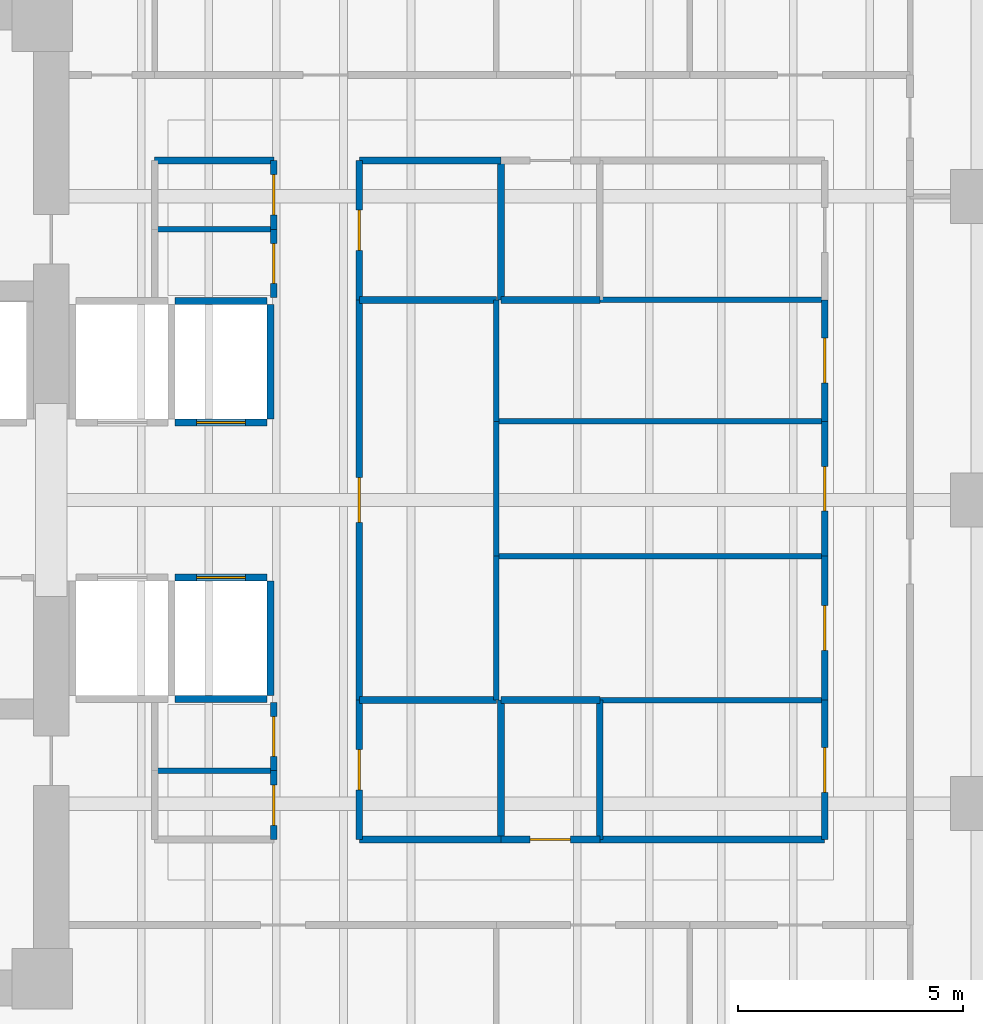
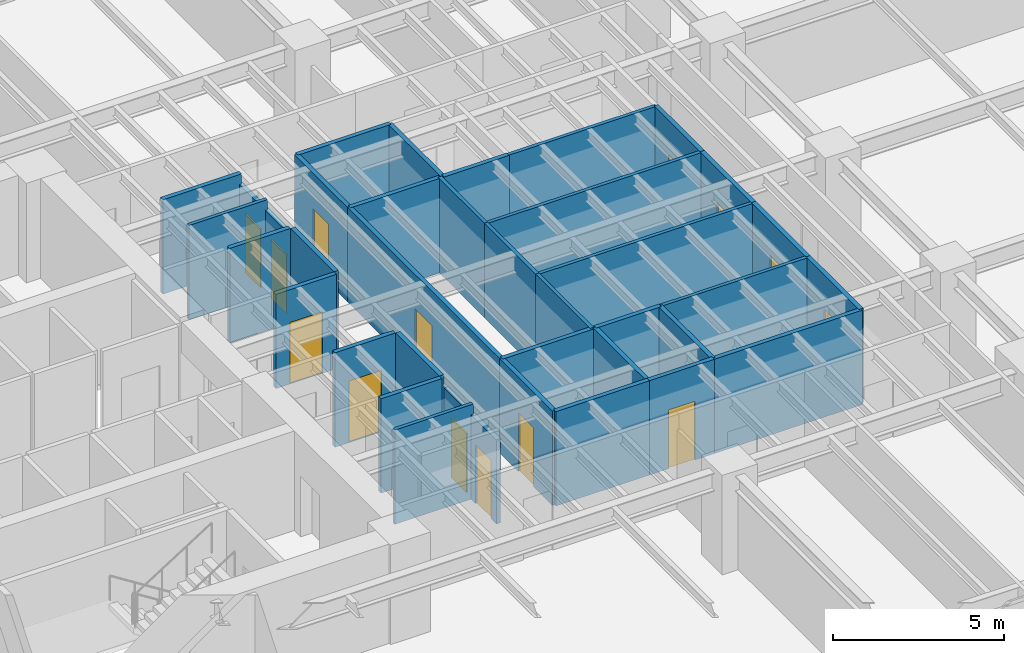
# One storey, part 9 of 15: 38 walls, 14 doors, 14 openings.
"""IFC4 building model written with IfcOpenShell, lengths in metres."""

import ifcopenshell
import ifcopenshell.guid

model = None  # the IFC model being written
_history = None  # IfcOwnerHistory: only IFC2X3 demands one
_inside = {}  # id of a spatial element -> (the spatial element, [elements in it])
_under = {}  # id of a project, library or spatial element -> (it, [spatial elements below it])
_declared = {}  # id of a project -> (the project, [libraries it declares])
_typed = {}  # id of a type object -> (the type object, [elements of that type])
_made_of = {}  # id of a material, layer set ... -> (it, [elements and type objects made of it])


def new_model(schema):
    """Start an empty IFC model of exactly this schema.

    Asked for "IFC4X3", IfcOpenShell would pick the latest addendum, in which some entities
    have other attributes; the version numbers below select the first issue.
    IFC2X3 requires an IfcOwnerHistory on every rooted entity: one is made here for all.
    """
    global model, _history
    if schema == "IFC4X3":
        model = ifcopenshell.file(schema_version=(4, 3, 0, 0))
    else:
        model = ifcopenshell.file(schema=schema)
    _inside.clear()
    _under.clear()
    _declared.clear()
    _typed.clear()
    _made_of.clear()
    _history = None
    if model.schema == "IFC2X3":
        org = make("IfcOrganization", Name="unknown")
        user = make(
            "IfcPersonAndOrganization",
            ThePerson=make("IfcPerson", FamilyName="unknown"),
            TheOrganization=org,
        )
        app = make(
            "IfcApplication",
            ApplicationDeveloper=org,
            Version="unknown",
            ApplicationFullName="unknown",
            ApplicationIdentifier="unknown",
        )
        _history = make(
            "IfcOwnerHistory",
            OwningUser=user,
            OwningApplication=app,
            ChangeAction="ADDED",
            CreationDate=0,
        )
    return model


def make(cls, **values):
    """One entity of the class cls with the attributes given. An attribute that is None is left unset."""
    return model.create_entity(
        cls, **{name: value for name, value in values.items() if value is not None}
    )


def rooted(cls, **values):
    """An entity with a GlobalId (a new one), such as an element, a storey or a relation."""
    return make(cls, GlobalId=ifcopenshell.guid.new(), OwnerHistory=_history, **values)


def si_unit(unit_type, name, prefix=None):
    """IfcSIUnit, for example si_unit("LENGTHUNIT", "METRE", prefix="MILLI")."""
    return make("IfcSIUnit", UnitType=unit_type, Prefix=prefix, Name=name)


def assignment(units):
    """IfcUnitAssignment: the units of a project."""
    return None if units is None else make("IfcUnitAssignment", Units=units)


def point(xyz):
    """IfcCartesianPoint."""
    return None if xyz is None else make("IfcCartesianPoint", Coordinates=xyz)


def direction(xyz):
    """IfcDirection."""
    return None if xyz is None else make("IfcDirection", DirectionRatios=xyz)


def frame(location, z_axis=None, x_axis=None):
    """IfcAxis2Placement3D, a coordinate frame: its origin and axes. An axis left out is left unset."""
    return make(
        "IfcAxis2Placement3D",
        Location=point(location),
        Axis=direction(z_axis),
        RefDirection=direction(x_axis),
    )


def frame_2d(location, x_axis=None):
    """IfcAxis2Placement2D, a coordinate frame in the plane: its origin and x axis."""
    return make(
        "IfcAxis2Placement2D", Location=point(location), RefDirection=direction(x_axis)
    )


def origin():
    """The frame at (0, 0, 0) with its axes left unset."""
    return frame((0.0, 0.0, 0.0))


def place(relative_to, where):
    """IfcLocalPlacement: puts the frame where relative to a parent placement (None: the world)."""
    return make(
        "IfcLocalPlacement", PlacementRelTo=relative_to, RelativePlacement=where
    )


def context(
    kind, dimensions, precision=None, world=None, true_north=None, identifier=None
):
    """IfcGeometricRepresentationContext, for example the 3D "Model" context."""
    return make(
        "IfcGeometricRepresentationContext",
        ContextIdentifier=identifier,
        ContextType=kind,
        CoordinateSpaceDimension=dimensions,
        Precision=precision,
        WorldCoordinateSystem=world,
        TrueNorth=true_north,
    )


def subcontext(parent, identifier, kind, view, scale=None):
    """IfcGeometricRepresentationSubContext, for example "Body" below "Model"."""
    return make(
        "IfcGeometricRepresentationSubContext",
        ContextIdentifier=identifier,
        ContextType=kind,
        ParentContext=parent,
        TargetScale=scale,
        TargetView=view,
    )


def project(units=None, contexts=None):
    """IfcProject with its units and contexts."""
    return rooted(
        "IfcProject",
        Name="project",
        RepresentationContexts=contexts,
        UnitsInContext=assignment(units),
    )


def spatial(cls, under=None, at=None, **own):
    """A site, building, storey or space (cls), placed at a placement, below another one or the project."""
    s = rooted(cls, ObjectPlacement=at, **own)
    if under is not None:
        _under.setdefault(under.id(), (under, []))[1].append(s)
    return s


def profile(cls, at=None, kind="AREA", **sizes):
    """A parametric profile (cls). Its sizes go by their IFC names, for example OverallWidth=200.0."""
    return make(cls, ProfileType=kind, Position=at, **sizes)


def rectangle(**sizes):
    """IfcRectangleProfileDef."""
    return profile("IfcRectangleProfileDef", **sizes)


def extrude(swept, where, along, depth):
    """IfcExtrudedAreaSolid: the profile swept, set in the frame where, extruded along a direction by depth."""
    return make(
        "IfcExtrudedAreaSolid",
        SweptArea=swept,
        Position=where,
        ExtrudedDirection=direction(along),
        Depth=depth,
    )


def shape(context_of_items, identifier, shape_type, items):
    """IfcShapeRepresentation: the items that make up one representation, for example the "Body"."""
    return make(
        "IfcShapeRepresentation",
        ContextOfItems=context_of_items,
        RepresentationIdentifier=identifier,
        RepresentationType=shape_type,
        Items=items,
    )


def material(Name=None, Category=None):
    """IfcMaterial."""
    return make("IfcMaterial", Name=Name, Category=Category)


def layer(
    of_material, thickness, ventilated=None, Name=None, Category=None, Priority=None
):
    """IfcMaterialLayer: one layer of a wall or slab, of a material (None: an air gap)."""
    return make(
        "IfcMaterialLayer",
        Material=of_material,
        LayerThickness=thickness,
        IsVentilated=ventilated,
        Name=Name,
        Category=Category,
        Priority=Priority,
    )


def layer_set(layers, Name=None):
    """IfcMaterialLayerSet."""
    return make("IfcMaterialLayerSet", MaterialLayers=layers, LayerSetName=Name)


def made_of(thing, what):
    """Note that an element or type object is made of a material, layer set ...; save() writes the relation."""
    if what is not None:
        _made_of.setdefault(what.id(), (what, []))[1].append(thing)
    return thing


def type_object(cls, material=None, **own):
    """A type object (cls), such as IfcWallType, which elements share."""
    return made_of(rooted(cls, **own), material)


def element(
    cls,
    number,
    at=None,
    inside=None,
    cuts=None,
    type_object=None,
    material=None,
    context=None,
    identifier="Body",
    shape_type=None,
    held_by="IfcProductDefinitionShape",
    body=None,
    shapes=None,
    **own,
):
    """One element of the class cls, such as IfcWall. Its Tag is "e" and its number.

    at: its placement. inside: the storey or other place that contains it. cuts: it is an
    opening in that element (IfcRelVoidsElement). A single representation is given by context,
    identifier, shape_type and body (its items); several are given by shapes. held_by: the class
    of the entity that holds the representations. save() writes the other relations.
    """
    e = rooted(cls, Tag="e%d" % number, ObjectPlacement=at, **own)
    if body is not None:
        shapes = [shape(context, identifier, shape_type, body)]
    if shapes is not None:
        e.Representation = make(held_by, Representations=shapes)
    if inside is not None:
        _inside.setdefault(inside.id(), (inside, []))[1].append(e)
    if cuts is not None:
        rooted(
            "IfcRelVoidsElement", RelatingBuildingElement=cuts, RelatedOpeningElement=e
        )
    if type_object is not None:
        _typed.setdefault(type_object.id(), (type_object, []))[1].append(e)
    return made_of(e, material)


def fill(opening, filler):
    """IfcRelFillsElement: the door or window that sits in an opening."""
    return rooted(
        "IfcRelFillsElement",
        RelatingOpeningElement=opening,
        RelatedBuildingElement=filler,
    )


def aggregate(whole, parts):
    """IfcRelAggregates: a whole, such as a stair, and the parts it consists of."""
    return rooted("IfcRelAggregates", RelatingObject=whole, RelatedObjects=parts)


def save(model, path):
    """Write the relations noted so far, then the file.

    IfcRelAggregates (storeys below a building ...), IfcRelContainedInSpatialStructure (elements
    in a storey), IfcRelDefinesByType, IfcRelAssociatesMaterial and IfcRelDeclares: one each for
    every whole, place, type object, material and project.
    """
    for whole, parts in _under.values():
        aggregate(whole, parts)
    for where, things in _inside.values():
        rooted(
            "IfcRelContainedInSpatialStructure",
            RelatedElements=things,
            RelatingStructure=where,
        )
    for kind, things in _typed.values():
        rooted("IfcRelDefinesByType", RelatedObjects=things, RelatingType=kind)
    for what, things in _made_of.values():
        rooted("IfcRelAssociatesMaterial", RelatedObjects=things, RelatingMaterial=what)
    for by, libraries in _declared.values():
        rooted("IfcRelDeclares", RelatingContext=by, RelatedDefinitions=libraries)
    model.write(path)


model = new_model("IFC4")

# Units and contexts
model_context = context("Model", 3, precision=1e-05, world=origin(), true_north=direction((0.0, 1.0)))
body_context = subcontext(model_context, "Body", "Model", "MODEL_VIEW")
ifc_project = project(units=[si_unit("LENGTHUNIT", "METRE"), si_unit("AREAUNIT", "SQUARE_METRE"), si_unit("VOLUMEUNIT", "CUBIC_METRE"), si_unit("PLANEANGLEUNIT", "RADIAN"), si_unit("MASSUNIT", "GRAM", prefix="KILO")], contexts=[model_context])

# Site, building, storey
site_placement = place(None, origin())
site = spatial("IfcSite", under=ifc_project, at=site_placement, CompositionType="ELEMENT")
building_placement = place(site_placement, origin())
building = spatial("IfcBuilding", under=site, at=building_placement, Name="Kinhvarn Gate Tower", CompositionType="ELEMENT")
storey_placement = place(building_placement, frame((0.0, 0.0, 71.75)))
storey = spatial("IfcBuildingStorey", under=building, at=storey_placement, Name="L18", CompositionType="ELEMENT", Elevation=71.75)

# Walls
ifc_material_1 = material(Name="Gypsum acoustic partition board")
ifc_layer_1 = layer(ifc_material_1, 0.14990234375)
ifc_layer_set_1 = layer_set([ifc_layer_1], Name="Gypsum acoustic partition board")
wall_type_1 = type_object("IfcWallType", Name="WL-PLM-150", PredefinedType="PLUMBINGWALL", material=ifc_layer_set_1)
wall_1_placement = place(storey_placement, frame((27.60009765625, 17.699951171875, 0.0), z_axis=(0.0, 0.0, 1.0), x_axis=(0.0, 1.0, 0.0)))
element("IfcWall", 1, at=wall_1_placement, inside=storey, type_object=wall_type_1, Name="Interior Partition PLW-150 (L18)", PredefinedType="PLUMBINGWALL", context=body_context, shape_type="SweptSolid", body=[
    extrude(rectangle(XDim=3.10009765625, YDim=0.14990234375, at=frame_2d((1.550048828125, 0.0))), origin(), (0.0, 0.0, 1.0), 3.3701171875),
])
wall_2_placement = place(storey_placement, frame((24.449951171875, 20.800048828125, 0.0), z_axis=(0.0, 0.0, 1.0), x_axis=(1.0, 0.0, 0.0)))
element("IfcWall", 2, at=wall_2_placement, inside=storey, type_object=wall_type_1, Name="Interior Partition PLW-150 (L18)", PredefinedType="PLUMBINGWALL", context=body_context, shape_type="SweptSolid", body=[
    extrude(rectangle(XDim=3.050048828125, YDim=0.14990234375, at=frame_2d((1.52490234375, 0.0))), origin(), (0.0, 0.0, 1.0), 3.3701171875),
])
wall_3_placement = place(storey_placement, frame((27.60009765625, 29.699951171875, 0.0), z_axis=(0.0, 0.0, 1.0), x_axis=(0.0, 1.0, 0.0)))
element("IfcWall", 3, at=wall_3_placement, inside=storey, type_object=wall_type_1, Name="Interior Partition PLW-150 (L18)", PredefinedType="PLUMBINGWALL", context=body_context, shape_type="SweptSolid", body=[
    extrude(rectangle(XDim=3.10009765625, YDim=0.14990234375, at=frame_2d((1.550048828125, 0.0))), origin(), (0.0, 0.0, 1.0), 3.3701171875),
])
wall_4_placement = place(storey_placement, frame((24.449951171875, 29.699951171875, 0.0), z_axis=(0.0, 0.0, 1.0), x_axis=(1.0, 0.0, 0.0)))
element("IfcWall", 4, at=wall_4_placement, inside=storey, type_object=wall_type_1, Name="Interior Partition PLW-150 (L18)", PredefinedType="PLUMBINGWALL", context=body_context, shape_type="SweptSolid", body=[
    extrude(rectangle(XDim=3.050048828125, YDim=0.14990234375, at=frame_2d((1.52490234375, 0.0))), origin(), (0.0, 0.0, 1.0), 3.3701171875),
])
wall_5_placement = place(storey_placement, frame((29.800048828125, 17.699951171875, 0.0), z_axis=(0.0, 0.0, 1.0), x_axis=(0.0, 1.0, 0.0)))
element("IfcWall", 5, at=wall_5_placement, inside=storey, type_object=wall_type_1, Name="Interior Partition PLW-150 (L18)", PredefinedType="PLUMBINGWALL", context=body_context, shape_type="SweptSolid", body=[
    extrude(rectangle(XDim=3.10009765625, YDim=0.14990234375, at=frame_2d((1.550048828125, 0.0))), origin(), (0.0, 0.0, 1.0), 3.3701171875),
])
for number, where, z_axis, x_axis, name in (
    (6, (27.60009765625, 20.800048828125, 0.0), (0.0, 0.0, 1.0), (1.0, 0.0, 0.0), "Interior Partition PLW-150 (L18)"),
    (7, (27.60009765625, 29.699951171875, 0.0), (0.0, 0.0, 1.0), (1.0, 0.0, 0.0), "Interior Partition PLW-150 (L18)"),
):
    element("IfcWall", number, at=place(storey_placement, frame(where, z_axis=z_axis, x_axis=x_axis)), inside=storey, type_object=wall_type_1, Name=name, PredefinedType="PLUMBINGWALL", context=body_context, shape_type="SweptSolid", body=[
        extrude(rectangle(XDim=2.199951171875, YDim=0.14990234375, at=frame_2d((1.10009765625, 0.0))), origin(), (0.0, 0.0, 1.0), 3.3701171875),
    ])

# Wall, opening, door
ifc_layer_2 = layer(ifc_material_1, 0.14990234375)
ifc_layer_set_2 = layer_set([ifc_layer_2], Name="Gypsum acoustic partition board")
wall_type_2 = type_object("IfcWallType", Name="WL-PLM-150F", PredefinedType="PLUMBINGWALL", material=ifc_layer_set_2)
wall_6_placement = place(storey_placement, frame((24.449951171875, 17.699951171875, 0.0), z_axis=(0.0, 0.0, 1.0), x_axis=(0.0, 1.0, 0.0)))
wall_6 = element("IfcWall", 8, at=wall_6_placement, inside=storey, type_object=wall_type_2, Name="Interior Partition PLW-150F (L18)", PredefinedType="PLUMBINGWALL", context=body_context, shape_type="SweptSolid", body=[
    extrude(rectangle(XDim=3.10009765625, YDim=0.14990234375, at=frame_2d((1.550048828125, 0.0))), origin(), (0.0, 0.0, 1.0), 3.3701171875),
])
opening_1_placement = place(wall_6_placement, frame((1.10009765625, 0.0, 0.0)))
opening_1 = element("IfcOpeningElement", 9, at=opening_1_placement, cuts=wall_6, Name="Opening FD-04", PredefinedType="OPENING", context=body_context, shape_type="SweptSolid", body=[
    extrude(rectangle(XDim=0.89990234375, YDim=2.10009765625, at=frame_2d((0.449951171875, 1.050048828125))), frame((0.0, 0.0849609375, 0.0), z_axis=(0.0, -1.0, 0.0), x_axis=(1.0, 0.0, 0.0)), (0.0, 0.0, 1.0), 0.169921875),
])
ifc_material_2 = material(Name="Anodised aluminium AW-6063", Category="aluminium")
door_type_1 = type_object("IfcDoorType", Name="DR-FD-900", OperationType="NOTDEFINED", PredefinedType="DOOR", material=ifc_material_2)
door_1_placement = place(opening_1_placement, origin())
door_1 = element("IfcDoor", 10, at=door_1_placement, inside=storey, type_object=door_type_1, Name="Rated Riser & Service Closet Fire Door 900x2100 mm (L18)", OperationType="SINGLE_SWING_LEFT", OverallHeight=2.10009765625, OverallWidth=0.89990234375, PredefinedType="DOOR", context=body_context, shape_type="SweptSolid", body=[
    extrude(rectangle(XDim=0.89990234375, YDim=2.10009765625, at=frame_2d((0.449951171875, 1.050048828125))), frame((0.0, 0.02490234375, 0.0), z_axis=(0.0, -1.0, 0.0), x_axis=(1.0, 0.0, 0.0)), (0.0, 0.0, 1.0), 0.050048828125),
])
fill(opening_1, door_1)

wall_7_placement = place(storey_placement, frame((24.449951171875, 29.699951171875, 0.0), z_axis=(0.0, 0.0, 1.0), x_axis=(0.0, 1.0, 0.0)))
wall_7 = element("IfcWall", 11, at=wall_7_placement, inside=storey, type_object=wall_type_2, Name="Interior Partition PLW-150F (L18)", PredefinedType="PLUMBINGWALL", context=body_context, shape_type="SweptSolid", body=[
    extrude(rectangle(XDim=3.10009765625, YDim=0.14990234375, at=frame_2d((1.550048828125, 0.0))), origin(), (0.0, 0.0, 1.0), 3.3701171875),
])
opening_2_placement = place(wall_7_placement, frame((1.10009765625, 0.0, 0.0)))
opening_2 = element("IfcOpeningElement", 12, at=opening_2_placement, cuts=wall_7, Name="Opening FD-04", PredefinedType="OPENING", context=body_context, shape_type="SweptSolid", body=[
    extrude(rectangle(XDim=0.89990234375, YDim=2.10009765625, at=frame_2d((0.449951171875, 1.050048828125))), frame((0.0, 0.0849609375, 0.0), z_axis=(0.0, -1.0, 0.0), x_axis=(1.0, 0.0, 0.0)), (0.0, 0.0, 1.0), 0.169921875),
])
door_2_placement = place(opening_2_placement, origin())
door_2 = element("IfcDoor", 13, at=door_2_placement, inside=storey, type_object=door_type_1, Name="Rated Riser & Service Closet Fire Door 900x2100 mm (L18)", OperationType="SINGLE_SWING_RIGHT", OverallHeight=2.10009765625, OverallWidth=0.89990234375, PredefinedType="DOOR", context=body_context, shape_type="SweptSolid", body=[
    extrude(rectangle(XDim=0.89990234375, YDim=2.10009765625, at=frame_2d((0.449951171875, 1.050048828125))), frame((0.0, 0.02490234375, 0.0), z_axis=(0.0, -1.0, 0.0), x_axis=(1.0, 0.0, 0.0)), (0.0, 0.0, 1.0), 0.050048828125),
])
fill(opening_2, door_2)

# Wall
wall_8_placement = place(storey_placement, frame((24.449951171875, 17.699951171875, 0.0), z_axis=(0.0, 0.0, 1.0), x_axis=(1.0, 0.0, 0.0)))
element("IfcWall", 14, at=wall_8_placement, inside=storey, type_object=wall_type_2, Name="Interior Partition PLW-150F (L18)", PredefinedType="PLUMBINGWALL", context=body_context, shape_type="SweptSolid", body=[
    extrude(rectangle(XDim=3.150146484375, YDim=0.14990234375, at=frame_2d((1.5751953125, 0.0))), origin(), (0.0, 0.0, 1.0), 3.3701171875),
])

# Wall, opening, door
wall_9_placement = place(storey_placement, frame((27.60009765625, 17.699951171875, 0.0), z_axis=(0.0, 0.0, 1.0), x_axis=(1.0, 0.0, 0.0)))
wall_9 = element("IfcWall", 15, at=wall_9_placement, inside=storey, type_object=wall_type_2, Name="Interior Partition PLW-150F (L18)", PredefinedType="PLUMBINGWALL", context=body_context, shape_type="SweptSolid", body=[
    extrude(rectangle(XDim=2.199951171875, YDim=0.14990234375, at=frame_2d((1.10009765625, 0.0))), origin(), (0.0, 0.0, 1.0), 3.3701171875),
])
opening_3_placement = place(wall_9_placement, frame((0.64990234375, 0.0, 0.0)))
opening_3 = element("IfcOpeningElement", 16, at=opening_3_placement, cuts=wall_9, Name="Opening FD-04", PredefinedType="OPENING", context=body_context, shape_type="SweptSolid", body=[
    extrude(rectangle(XDim=0.89990234375, YDim=2.10009765625, at=frame_2d((0.449951171875, 1.050048828125))), frame((0.0, 0.0849609375, 0.0), z_axis=(0.0, -1.0, 0.0), x_axis=(1.0, 0.0, 0.0)), (0.0, 0.0, 1.0), 0.169921875),
])
door_3_placement = place(opening_3_placement, origin())
door_3 = element("IfcDoor", 17, at=door_3_placement, inside=storey, type_object=door_type_1, Name="Rated Riser & Service Closet Fire Door 900x2100 mm (L18)", OperationType="SINGLE_SWING_RIGHT", OverallHeight=2.10009765625, OverallWidth=0.89990234375, PredefinedType="DOOR", context=body_context, shape_type="SweptSolid", body=[
    extrude(rectangle(XDim=0.89990234375, YDim=2.10009765625, at=frame_2d((0.449951171875, 1.050048828125))), frame((0.0, 0.02490234375, 0.0), z_axis=(0.0, -1.0, 0.0), x_axis=(1.0, 0.0, 0.0)), (0.0, 0.0, 1.0), 0.050048828125),
])
fill(opening_3, door_3)

# Walls
wall_10_placement = place(storey_placement, frame((24.449951171875, 32.800048828125, 0.0), z_axis=(0.0, 0.0, 1.0), x_axis=(1.0, 0.0, 0.0)))
element("IfcWall", 18, at=wall_10_placement, inside=storey, type_object=wall_type_2, Name="Interior Partition PLW-150F (L18)", PredefinedType="PLUMBINGWALL", context=body_context, shape_type="SweptSolid", body=[
    extrude(rectangle(XDim=3.150146484375, YDim=0.14990234375, at=frame_2d((1.5751953125, 0.0))), origin(), (0.0, 0.0, 1.0), 3.3701171875),
])
ifc_layer_3 = layer(ifc_material_1, 0.1201171875)
ifc_layer_set_3 = layer_set([ifc_layer_3], Name="Gypsum acoustic partition board")
wall_type_3 = type_object("IfcWallType", Name="WL-PRT-120", PredefinedType="PARTITIONING", material=ifc_layer_set_3)
for number, where, z_axis, x_axis, name in (
    (19, (19.89990234375, 19.22998046875, 0.0), (0.0, 0.0, 1.0), (1.0, 0.0, 0.0), "Interior Partition PW-120 (L18)"),
    (20, (19.89990234375, 31.27001953125, 0.0), (0.0, 0.0, 1.0), (1.0, 0.0, 0.0), "Interior Partition PW-120 (L18)"),
):
    element("IfcWall", number, at=place(storey_placement, frame(where, z_axis=z_axis, x_axis=x_axis)), inside=storey, type_object=wall_type_3, Name=name, PredefinedType="PARTITIONING", context=body_context, shape_type="SweptSolid", body=[
        extrude(rectangle(XDim=2.650146484375, YDim=0.1201171875, at=frame_2d((1.3251953125, 0.0))), origin(), (0.0, 0.0, 1.0), 3.3701171875),
    ])
for number, where, z_axis, x_axis, name in (
    (21, (29.800048828125, 20.800048828125, 0.0), (0.0, 0.0, 1.0), (1.0, 0.0, 0.0), "Interior Partition PW-120 (L18)"),
    (22, (29.800048828125, 29.699951171875, 0.0), (0.0, 0.0, 1.0), (1.0, 0.0, 0.0), "Interior Partition PW-120 (L18)"),
):
    element("IfcWall", number, at=place(storey_placement, frame(where, z_axis=z_axis, x_axis=x_axis)), inside=storey, type_object=wall_type_3, Name=name, PredefinedType="PARTITIONING", context=body_context, shape_type="SweptSolid", body=[
        extrude(rectangle(XDim=5.0, YDim=0.1201171875, at=frame_2d((2.5, 0.0))), origin(), (0.0, 0.0, 1.0), 3.3701171875),
    ])
wall_11_placement = place(storey_placement, frame((27.5, 20.800048828125, 0.0), z_axis=(0.0, 0.0, 1.0), x_axis=(0.0, 1.0, 0.0)))
element("IfcWall", 23, at=wall_11_placement, inside=storey, type_object=wall_type_3, Name="Interior Partition PW-120 (L18)", PredefinedType="PARTITIONING", context=body_context, shape_type="SweptSolid", body=[
    extrude(rectangle(XDim=3.199951171875, YDim=0.1201171875, at=frame_2d((1.60009765625, 0.0))), origin(), (0.0, 0.0, 1.0), 3.3701171875),
])
wall_12_placement = place(storey_placement, frame((27.5, 24.0, 0.0), z_axis=(0.0, 0.0, 1.0), x_axis=(0.0, 1.0, 0.0)))
element("IfcWall", 24, at=wall_12_placement, inside=storey, type_object=wall_type_3, Name="Interior Partition PW-120 (L18)", PredefinedType="PARTITIONING", context=body_context, shape_type="SweptSolid", body=[
    extrude(rectangle(XDim=3.0, YDim=0.1201171875, at=frame_2d((1.5, 0.0))), origin(), (0.0, 0.0, 1.0), 3.3701171875),
])
wall_13_placement = place(storey_placement, frame((27.5, 27.0, 0.0), z_axis=(0.0, 0.0, 1.0), x_axis=(0.0, 1.0, 0.0)))
element("IfcWall", 25, at=wall_13_placement, inside=storey, type_object=wall_type_3, Name="Interior Partition PW-120 (L18)", PredefinedType="PARTITIONING", context=body_context, shape_type="SweptSolid", body=[
    extrude(rectangle(XDim=2.699951171875, YDim=0.1201171875, at=frame_2d((1.35009765625, 0.0))), origin(), (0.0, 0.0, 1.0), 3.3701171875),
])
for number, where, z_axis, x_axis, name in (
    (26, (27.5, 24.0, 0.0), (0.0, 0.0, 1.0), (1.0, 0.0, 0.0), "Interior Partition PW-120 (L18)"),
    (27, (27.5, 27.0, 0.0), (0.0, 0.0, 1.0), (1.0, 0.0, 0.0), "Interior Partition PW-120 (L18)"),
):
    element("IfcWall", number, at=place(storey_placement, frame(where, z_axis=z_axis, x_axis=x_axis)), inside=storey, type_object=wall_type_3, Name=name, PredefinedType="PARTITIONING", context=body_context, shape_type="SweptSolid", body=[
        extrude(rectangle(XDim=7.300048828125, YDim=0.1201171875, at=frame_2d((3.64990234375, 0.0))), origin(), (0.0, 0.0, 1.0), 3.3701171875),
    ])

# Wall, opening, door
ifc_layer_4 = layer(ifc_material_1, 0.14990234375)
ifc_layer_set_4 = layer_set([ifc_layer_4], Name="Gypsum acoustic partition board")
wall_type_4 = type_object("IfcWallType", Name="WL-PRT-150F", PredefinedType="PARTITIONING", material=ifc_layer_set_4)
wall_14_placement = place(storey_placement, frame((22.550048828125, 17.699951171875, 0.0), z_axis=(0.0, 0.0, 1.0), x_axis=(0.0, 1.0, 0.0)))
wall_14 = element("IfcWall", 28, at=wall_14_placement, inside=storey, type_object=wall_type_4, Name="Interior Partition PW-150F (L18)", PredefinedType="PARTITIONING", context=body_context, shape_type="SweptSolid", body=[
    extrude(rectangle(XDim=1.530029296875, YDim=0.14990234375, at=frame_2d((0.76513671875, 0.0))), origin(), (0.0, 0.0, 1.0), 3.010009765625),
])
opening_4_placement = place(wall_14_placement, frame((0.31494140625, 0.0, 0.0)))
opening_4 = element("IfcOpeningElement", 29, at=opening_4_placement, cuts=wall_14, Name="Opening ID-03", PredefinedType="OPENING", context=body_context, shape_type="SweptSolid", body=[
    extrude(rectangle(XDim=0.89990234375, YDim=2.10009765625, at=frame_2d((0.449951171875, 1.050048828125))), frame((0.0, 0.0849609375, 0.0), z_axis=(0.0, -1.0, 0.0), x_axis=(1.0, 0.0, 0.0)), (0.0, 0.0, 1.0), 0.169921875),
])
door_type_2 = type_object("IfcDoorType", Name="DR-INT-900", OperationType="NOTDEFINED", PredefinedType="DOOR", material=ifc_material_2)
door_4_placement = place(opening_4_placement, origin())
door_4 = element("IfcDoor", 30, at=door_4_placement, inside=storey, type_object=door_type_2, Name="Cellular Office & Restroom Door 900x2100 mm (L18)", OperationType="SINGLE_SWING_LEFT", OverallHeight=2.10009765625, OverallWidth=0.89990234375, PredefinedType="DOOR", context=body_context, shape_type="SweptSolid", body=[
    extrude(rectangle(XDim=0.89990234375, YDim=2.10009765625, at=frame_2d((0.449951171875, 1.050048828125))), frame((0.0, 0.02490234375, 0.0), z_axis=(0.0, -1.0, 0.0), x_axis=(1.0, 0.0, 0.0)), (0.0, 0.0, 1.0), 0.050048828125),
])
fill(opening_4, door_4)

wall_15_placement = place(storey_placement, frame((22.550048828125, 19.22998046875, 0.0), z_axis=(0.0, 0.0, 1.0), x_axis=(0.0, 1.0, 0.0)))
wall_15 = element("IfcWall", 31, at=wall_15_placement, inside=storey, type_object=wall_type_4, Name="Interior Partition PW-150F (L18)", PredefinedType="PARTITIONING", context=body_context, shape_type="SweptSolid", body=[
    extrude(rectangle(XDim=1.52001953125, YDim=0.14990234375, at=frame_2d((0.760009765625, 0.0))), origin(), (0.0, 0.0, 1.0), 3.010009765625),
])
opening_5_placement = place(wall_15_placement, frame((0.31005859375, 0.0, 0.0)))
opening_5 = element("IfcOpeningElement", 32, at=opening_5_placement, cuts=wall_15, Name="Opening ID-03", PredefinedType="OPENING", context=body_context, shape_type="SweptSolid", body=[
    extrude(rectangle(XDim=0.89990234375, YDim=2.10009765625, at=frame_2d((0.449951171875, 1.050048828125))), frame((0.0, 0.0849609375, 0.0), z_axis=(0.0, -1.0, 0.0), x_axis=(1.0, 0.0, 0.0)), (0.0, 0.0, 1.0), 0.169921875),
])
door_5_placement = place(opening_5_placement, origin())
door_5 = element("IfcDoor", 33, at=door_5_placement, inside=storey, type_object=door_type_2, Name="Cellular Office & Restroom Door 900x2100 mm (L18)", OperationType="SINGLE_SWING_RIGHT", OverallHeight=2.10009765625, OverallWidth=0.89990234375, PredefinedType="DOOR", context=body_context, shape_type="SweptSolid", body=[
    extrude(rectangle(XDim=0.89990234375, YDim=2.10009765625, at=frame_2d((0.449951171875, 1.050048828125))), frame((0.0, 0.02490234375, 0.0), z_axis=(0.0, -1.0, 0.0), x_axis=(1.0, 0.0, 0.0)), (0.0, 0.0, 1.0), 0.050048828125),
])
fill(opening_5, door_5)

wall_16_placement = place(storey_placement, frame((22.550048828125, 29.75, 0.0), z_axis=(0.0, 0.0, 1.0), x_axis=(0.0, 1.0, 0.0)))
wall_16 = element("IfcWall", 34, at=wall_16_placement, inside=storey, type_object=wall_type_4, Name="Interior Partition PW-150F (L18)", PredefinedType="PARTITIONING", context=body_context, shape_type="SweptSolid", body=[
    extrude(rectangle(XDim=1.52001953125, YDim=0.14990234375, at=frame_2d((0.760009765625, 0.0))), origin(), (0.0, 0.0, 1.0), 3.010009765625),
])
opening_6_placement = place(wall_16_placement, frame((0.31005859375, 0.0, 0.0)))
opening_6 = element("IfcOpeningElement", 35, at=opening_6_placement, cuts=wall_16, Name="Opening ID-03", PredefinedType="OPENING", context=body_context, shape_type="SweptSolid", body=[
    extrude(rectangle(XDim=0.89990234375, YDim=2.10009765625, at=frame_2d((0.449951171875, 1.050048828125))), frame((0.0, 0.0849609375, 0.0), z_axis=(0.0, -1.0, 0.0), x_axis=(1.0, 0.0, 0.0)), (0.0, 0.0, 1.0), 0.169921875),
])
door_6_placement = place(opening_6_placement, origin())
door_6 = element("IfcDoor", 36, at=door_6_placement, inside=storey, type_object=door_type_2, Name="Cellular Office & Restroom Door 900x2100 mm (L18)", OperationType="SINGLE_SWING_LEFT", OverallHeight=2.10009765625, OverallWidth=0.89990234375, PredefinedType="DOOR", context=body_context, shape_type="SweptSolid", body=[
    extrude(rectangle(XDim=0.89990234375, YDim=2.10009765625, at=frame_2d((0.449951171875, 1.050048828125))), frame((0.0, 0.02490234375, 0.0), z_axis=(0.0, -1.0, 0.0), x_axis=(1.0, 0.0, 0.0)), (0.0, 0.0, 1.0), 0.050048828125),
])
fill(opening_6, door_6)

wall_17_placement = place(storey_placement, frame((22.550048828125, 31.27001953125, 0.0), z_axis=(0.0, 0.0, 1.0), x_axis=(0.0, 1.0, 0.0)))
wall_17 = element("IfcWall", 37, at=wall_17_placement, inside=storey, type_object=wall_type_4, Name="Interior Partition PW-150F (L18)", PredefinedType="PARTITIONING", context=body_context, shape_type="SweptSolid", body=[
    extrude(rectangle(XDim=1.530029296875, YDim=0.14990234375, at=frame_2d((0.76513671875, 0.0))), origin(), (0.0, 0.0, 1.0), 3.010009765625),
])
opening_7_placement = place(wall_17_placement, frame((0.31494140625, 0.0, 0.0)))
opening_7 = element("IfcOpeningElement", 38, at=opening_7_placement, cuts=wall_17, Name="Opening ID-03", PredefinedType="OPENING", context=body_context, shape_type="SweptSolid", body=[
    extrude(rectangle(XDim=0.89990234375, YDim=2.10009765625, at=frame_2d((0.449951171875, 1.050048828125))), frame((0.0, 0.0849609375, 0.0), z_axis=(0.0, -1.0, 0.0), x_axis=(1.0, 0.0, 0.0)), (0.0, 0.0, 1.0), 0.169921875),
])
door_7_placement = place(opening_7_placement, origin())
door_7 = element("IfcDoor", 39, at=door_7_placement, inside=storey, type_object=door_type_2, Name="Cellular Office & Restroom Door 900x2100 mm (L18)", OperationType="SINGLE_SWING_RIGHT", OverallHeight=2.10009765625, OverallWidth=0.89990234375, PredefinedType="DOOR", context=body_context, shape_type="SweptSolid", body=[
    extrude(rectangle(XDim=0.89990234375, YDim=2.10009765625, at=frame_2d((0.449951171875, 1.050048828125))), frame((0.0, 0.02490234375, 0.0), z_axis=(0.0, -1.0, 0.0), x_axis=(1.0, 0.0, 0.0)), (0.0, 0.0, 1.0), 0.050048828125),
])
fill(opening_7, door_7)

wall_18_placement = place(storey_placement, frame((24.449951171875, 20.800048828125, 0.0), z_axis=(0.0, 0.0, 1.0), x_axis=(0.0, 1.0, 0.0)))
wall_18 = element("IfcWall", 40, at=wall_18_placement, inside=storey, type_object=wall_type_4, Name="Interior Partition PW-150F (L18)", PredefinedType="PARTITIONING", context=body_context, shape_type="SweptSolid", body=[
    extrude(rectangle(XDim=8.89990234375, YDim=0.14990234375, at=frame_2d((4.449951171875, 0.0))), origin(), (0.0, 0.0, 1.0), 3.3701171875),
])
opening_8_placement = place(wall_18_placement, frame((3.949951171875, 0.0, 0.0)))
opening_8 = element("IfcOpeningElement", 41, at=opening_8_placement, cuts=wall_18, Name="Opening ID-02", PredefinedType="OPENING", context=body_context, shape_type="SweptSolid", body=[
    extrude(rectangle(XDim=1.0, YDim=2.14990234375, at=frame_2d((0.5, 1.074951171875))), frame((0.0, 0.0849609375, 0.0), z_axis=(0.0, -1.0, 0.0), x_axis=(1.0, 0.0, 0.0)), (0.0, 0.0, 1.0), 0.169921875),
])
door_type_3 = type_object("IfcDoorType", Name="DR-INT-1000", OperationType="NOTDEFINED", PredefinedType="DOOR", material=ifc_material_2)
door_8_placement = place(opening_8_placement, origin())
door_8 = element("IfcDoor", 42, at=door_8_placement, inside=storey, type_object=door_type_3, Name="Standard Office & Meeting Room Door 1000x2150 mm (L18)", OperationType="SINGLE_SWING_LEFT", OverallHeight=2.14990234375, OverallWidth=1.0, PredefinedType="DOOR", context=body_context, shape_type="SweptSolid", body=[
    extrude(rectangle(XDim=1.0, YDim=2.14990234375, at=frame_2d((0.5, 1.074951171875))), frame((0.0, 0.02490234375, 0.0), z_axis=(0.0, -1.0, 0.0), x_axis=(1.0, 0.0, 0.0)), (0.0, 0.0, 1.0), 0.050048828125),
])
fill(opening_8, door_8)

# Walls
wall_19_placement = place(storey_placement, frame((29.800048828125, 17.699951171875, 0.0), z_axis=(0.0, 0.0, 1.0), x_axis=(1.0, 0.0, 0.0)))
element("IfcWall", 43, at=wall_19_placement, inside=storey, type_object=wall_type_4, Name="Interior Partition PW-150F (L18)", PredefinedType="PARTITIONING", context=body_context, shape_type="SweptSolid", body=[
    extrude(rectangle(XDim=5.0, YDim=0.14990234375, at=frame_2d((2.5, 0.0))), origin(), (0.0, 0.0, 1.0), 3.3701171875),
])
wall_20_placement = place(storey_placement, frame((19.89990234375, 32.800048828125, 0.0), z_axis=(0.0, 0.0, 1.0), x_axis=(1.0, 0.0, 0.0)))
element("IfcWall", 44, at=wall_20_placement, inside=storey, type_object=wall_type_4, Name="Interior Partition PW-150F (L18)", PredefinedType="PARTITIONING", context=body_context, shape_type="SweptSolid", body=[
    extrude(rectangle(XDim=2.650146484375, YDim=0.14990234375, at=frame_2d((1.3251953125, 0.0))), origin(), (0.0, 0.0, 1.0), 3.3701171875),
])

# Wall, opening, door
wall_21_placement = place(storey_placement, frame((34.800048828125, 17.699951171875, 0.0), z_axis=(0.0, 0.0, 1.0), x_axis=(0.0, 1.0, 0.0)))
wall_21 = element("IfcWall", 45, at=wall_21_placement, inside=storey, type_object=wall_type_4, Name="Interior Partition PW-150F (L18)", PredefinedType="PARTITIONING", context=body_context, shape_type="SweptSolid", body=[
    extrude(rectangle(XDim=3.10009765625, YDim=0.14990234375, at=frame_2d((1.550048828125, 0.0))), origin(), (0.0, 0.0, 1.0), 3.3701171875),
])
opening_9_placement = place(wall_21_placement, frame((1.050048828125, 0.0, 0.0)))
opening_9 = element("IfcOpeningElement", 46, at=opening_9_placement, cuts=wall_21, Name="Opening ID-02", PredefinedType="OPENING", context=body_context, shape_type="SweptSolid", body=[
    extrude(rectangle(XDim=1.0, YDim=2.14990234375, at=frame_2d((0.5, 1.074951171875))), frame((0.0, 0.0849609375, 0.0), z_axis=(0.0, -1.0, 0.0), x_axis=(1.0, 0.0, 0.0)), (0.0, 0.0, 1.0), 0.169921875),
])
door_9_placement = place(opening_9_placement, origin())
door_9 = element("IfcDoor", 47, at=door_9_placement, inside=storey, type_object=door_type_3, Name="Standard Office & Meeting Room Door 1000x2150 mm (L18)", OperationType="SINGLE_SWING_RIGHT", OverallHeight=2.14990234375, OverallWidth=1.0, PredefinedType="DOOR", context=body_context, shape_type="SweptSolid", body=[
    extrude(rectangle(XDim=1.0, YDim=2.14990234375, at=frame_2d((0.5, 1.074951171875))), frame((0.0, 0.02490234375, 0.0), z_axis=(0.0, -1.0, 0.0), x_axis=(1.0, 0.0, 0.0)), (0.0, 0.0, 1.0), 0.050048828125),
])
fill(opening_9, door_9)

wall_22_placement = place(storey_placement, frame((34.800048828125, 20.800048828125, 0.0), z_axis=(0.0, 0.0, 1.0), x_axis=(0.0, 1.0, 0.0)))
wall_22 = element("IfcWall", 48, at=wall_22_placement, inside=storey, type_object=wall_type_4, Name="Interior Partition PW-150F (L18)", PredefinedType="PARTITIONING", context=body_context, shape_type="SweptSolid", body=[
    extrude(rectangle(XDim=3.199951171875, YDim=0.14990234375, at=frame_2d((1.60009765625, 0.0))), origin(), (0.0, 0.0, 1.0), 3.3701171875),
])
opening_10_placement = place(wall_22_placement, frame((1.10009765625, 0.0, 0.0)))
opening_10 = element("IfcOpeningElement", 49, at=opening_10_placement, cuts=wall_22, Name="Opening ID-02", PredefinedType="OPENING", context=body_context, shape_type="SweptSolid", body=[
    extrude(rectangle(XDim=1.0, YDim=2.14990234375, at=frame_2d((0.5, 1.074951171875))), frame((0.0, 0.0849609375, 0.0), z_axis=(0.0, -1.0, 0.0), x_axis=(1.0, 0.0, 0.0)), (0.0, 0.0, 1.0), 0.169921875),
])
door_10_placement = place(opening_10_placement, origin())
door_10 = element("IfcDoor", 50, at=door_10_placement, inside=storey, type_object=door_type_3, Name="Standard Office & Meeting Room Door 1000x2150 mm (L18)", OperationType="SINGLE_SWING_RIGHT", OverallHeight=2.14990234375, OverallWidth=1.0, PredefinedType="DOOR", context=body_context, shape_type="SweptSolid", body=[
    extrude(rectangle(XDim=1.0, YDim=2.14990234375, at=frame_2d((0.5, 1.074951171875))), frame((0.0, 0.02490234375, 0.0), z_axis=(0.0, -1.0, 0.0), x_axis=(1.0, 0.0, 0.0)), (0.0, 0.0, 1.0), 0.050048828125),
])
fill(opening_10, door_10)

wall_23_placement = place(storey_placement, frame((34.800048828125, 24.0, 0.0), z_axis=(0.0, 0.0, 1.0), x_axis=(0.0, 1.0, 0.0)))
wall_23 = element("IfcWall", 51, at=wall_23_placement, inside=storey, type_object=wall_type_4, Name="Interior Partition PW-150F (L18)", PredefinedType="PARTITIONING", context=body_context, shape_type="SweptSolid", body=[
    extrude(rectangle(XDim=3.0, YDim=0.14990234375, at=frame_2d((1.5, 0.0))), origin(), (0.0, 0.0, 1.0), 3.3701171875),
])
opening_11_placement = place(wall_23_placement, frame((1.0, 0.0, 0.0)))
opening_11 = element("IfcOpeningElement", 52, at=opening_11_placement, cuts=wall_23, Name="Opening ID-02", PredefinedType="OPENING", context=body_context, shape_type="SweptSolid", body=[
    extrude(rectangle(XDim=1.0, YDim=2.14990234375, at=frame_2d((0.5, 1.074951171875))), frame((0.0, 0.0849609375, 0.0), z_axis=(0.0, -1.0, 0.0), x_axis=(1.0, 0.0, 0.0)), (0.0, 0.0, 1.0), 0.169921875),
])
door_11_placement = place(opening_11_placement, origin())
door_11 = element("IfcDoor", 53, at=door_11_placement, inside=storey, type_object=door_type_3, Name="Standard Office & Meeting Room Door 1000x2150 mm (L18)", OperationType="SINGLE_SWING_LEFT", OverallHeight=2.14990234375, OverallWidth=1.0, PredefinedType="DOOR", context=body_context, shape_type="SweptSolid", body=[
    extrude(rectangle(XDim=1.0, YDim=2.14990234375, at=frame_2d((0.5, 1.074951171875))), frame((0.0, 0.02490234375, 0.0), z_axis=(0.0, -1.0, 0.0), x_axis=(1.0, 0.0, 0.0)), (0.0, 0.0, 1.0), 0.050048828125),
])
fill(opening_11, door_11)

wall_24_placement = place(storey_placement, frame((34.800048828125, 27.0, 0.0), z_axis=(0.0, 0.0, 1.0), x_axis=(0.0, 1.0, 0.0)))
wall_24 = element("IfcWall", 54, at=wall_24_placement, inside=storey, type_object=wall_type_4, Name="Interior Partition PW-150F (L18)", PredefinedType="PARTITIONING", context=body_context, shape_type="SweptSolid", body=[
    extrude(rectangle(XDim=2.699951171875, YDim=0.14990234375, at=frame_2d((1.35009765625, 0.0))), origin(), (0.0, 0.0, 1.0), 3.3701171875),
])
opening_12_placement = place(wall_24_placement, frame((0.85009765625, 0.0, 0.0)))
opening_12 = element("IfcOpeningElement", 55, at=opening_12_placement, cuts=wall_24, Name="Opening ID-02", PredefinedType="OPENING", context=body_context, shape_type="SweptSolid", body=[
    extrude(rectangle(XDim=1.0, YDim=2.14990234375, at=frame_2d((0.5, 1.074951171875))), frame((0.0, 0.0849609375, 0.0), z_axis=(0.0, -1.0, 0.0), x_axis=(1.0, 0.0, 0.0)), (0.0, 0.0, 1.0), 0.169921875),
])
door_12_placement = place(opening_12_placement, origin())
door_12 = element("IfcDoor", 56, at=door_12_placement, inside=storey, type_object=door_type_3, Name="Standard Office & Meeting Room Door 1000x2150 mm (L18)", OperationType="SINGLE_SWING_RIGHT", OverallHeight=2.14990234375, OverallWidth=1.0, PredefinedType="DOOR", context=body_context, shape_type="SweptSolid", body=[
    extrude(rectangle(XDim=1.0, YDim=2.14990234375, at=frame_2d((0.5, 1.074951171875))), frame((0.0, 0.02490234375, 0.0), z_axis=(0.0, -1.0, 0.0), x_axis=(1.0, 0.0, 0.0)), (0.0, 0.0, 1.0), 0.050048828125),
])
fill(opening_12, door_12)

# Wall
ifc_layer_5 = layer(ifc_material_1, 0.14990234375)
ifc_layer_set_5 = layer_set([ifc_layer_5], Name="Gypsum acoustic partition board")
wall_type_5 = type_object("IfcWallType", Name="WL-SHF-150", PredefinedType="PARTITIONING", material=ifc_layer_set_5)
wall_25_placement = place(storey_placement, frame((20.35009765625, 20.824951171875, 0.0), z_axis=(0.0, 0.0, 1.0), x_axis=(1.0, 0.0, 0.0)))
element("IfcWall", 57, at=wall_25_placement, inside=storey, type_object=wall_type_5, Name="Elevator PL-02 Hoistway Wall S (L18)", PredefinedType="PARTITIONING", context=body_context, shape_type="SweptSolid", body=[
    extrude(rectangle(XDim=2.0498046875, YDim=0.14990234375, at=frame_2d((1.02490234375, 0.0))), origin(), (0.0, 0.0, 1.0), 3.3701171875),
])

# Wall, opening, door
wall_26_placement = place(storey_placement, frame((20.35009765625, 23.52490234375, 0.0), z_axis=(0.0, 0.0, 1.0), x_axis=(1.0, 0.0, 0.0)))
wall_26 = element("IfcWall", 58, at=wall_26_placement, inside=storey, type_object=wall_type_5, Name="Elevator PL-02 Landing Wall (L18)", PredefinedType="PARTITIONING", context=body_context, shape_type="SweptSolid", body=[
    extrude(rectangle(XDim=2.0498046875, YDim=0.14990234375, at=frame_2d((1.02490234375, 0.0))), origin(), (0.0, 0.0, 1.0), 3.3701171875),
])
opening_13_placement = place(wall_26_placement, frame((0.47509765625, 0.0, 0.0)))
opening_13 = element("IfcOpeningElement", 59, at=opening_13_placement, cuts=wall_26, Name="Opening LD-01", PredefinedType="OPENING", context=body_context, shape_type="SweptSolid", body=[
    extrude(rectangle(XDim=1.10009765625, YDim=2.199951171875, at=frame_2d((0.550048828125, 1.10009765625))), frame((0.0, 0.0849609375, 0.0), z_axis=(0.0, -1.0, 0.0), x_axis=(1.0, 0.0, 0.0)), (0.0, 0.0, 1.0), 0.169921875),
])
door_type_4 = type_object("IfcDoorType", Name="DR-LND-PAS", OperationType="NOTDEFINED", PredefinedType="DOOR", material=ifc_material_2)
door_13_placement = place(opening_13_placement, origin())
door_13 = element("IfcDoor", 60, at=door_13_placement, inside=storey, type_object=door_type_4, Name="Elevator PL-02 Sliding Landing Door (L18)", OperationType="DOUBLE_DOOR_SLIDING", OverallHeight=2.199951171875, OverallWidth=1.10009765625, PredefinedType="DOOR", context=body_context, shape_type="SweptSolid", body=[
    extrude(rectangle(XDim=1.10009765625, YDim=2.199951171875, at=frame_2d((0.550048828125, 1.10009765625))), frame((0.0, 0.02490234375, 0.0), z_axis=(0.0, -1.0, 0.0), x_axis=(1.0, 0.0, 0.0)), (0.0, 0.0, 1.0), 0.050048828125),
])
fill(opening_13, door_13)

# Wall
wall_27_placement = place(storey_placement, frame((22.47509765625, 20.89990234375, 0.0), z_axis=(0.0, 0.0, 1.0), x_axis=(0.0, 1.0, 0.0)))
element("IfcWall", 61, at=wall_27_placement, inside=storey, type_object=wall_type_5, Name="Elevator PL-02 Hoistway Wall E (L18)", PredefinedType="PARTITIONING", context=body_context, shape_type="SweptSolid", body=[
    extrude(rectangle(XDim=2.550048828125, YDim=0.14990234375, at=frame_2d((1.27490234375, 0.0))), origin(), (0.0, 0.0, 1.0), 3.3701171875),
])

# Wall, opening, door
wall_28_placement = place(storey_placement, frame((20.35009765625, 26.97509765625, 0.0), z_axis=(0.0, 0.0, 1.0), x_axis=(1.0, 0.0, 0.0)))
wall_28 = element("IfcWall", 62, at=wall_28_placement, inside=storey, type_object=wall_type_5, Name="Elevator PL-04 Landing Wall (L18)", PredefinedType="PARTITIONING", context=body_context, shape_type="SweptSolid", body=[
    extrude(rectangle(XDim=2.0498046875, YDim=0.14990234375, at=frame_2d((1.02490234375, 0.0))), origin(), (0.0, 0.0, 1.0), 3.3701171875),
])
opening_14_placement = place(wall_28_placement, frame((0.47509765625, 0.0, 0.0)))
opening_14 = element("IfcOpeningElement", 63, at=opening_14_placement, cuts=wall_28, Name="Opening LD-01", PredefinedType="OPENING", context=body_context, shape_type="SweptSolid", body=[
    extrude(rectangle(XDim=1.10009765625, YDim=2.199951171875, at=frame_2d((0.550048828125, 1.10009765625))), frame((0.0, 0.0849609375, 0.0), z_axis=(0.0, -1.0, 0.0), x_axis=(1.0, 0.0, 0.0)), (0.0, 0.0, 1.0), 0.169921875),
])
door_14_placement = place(opening_14_placement, origin())
door_14 = element("IfcDoor", 64, at=door_14_placement, inside=storey, type_object=door_type_4, Name="Elevator PL-04 Sliding Landing Door (L18)", OperationType="DOUBLE_DOOR_SLIDING", OverallHeight=2.199951171875, OverallWidth=1.10009765625, PredefinedType="DOOR", context=body_context, shape_type="SweptSolid", body=[
    extrude(rectangle(XDim=1.10009765625, YDim=2.199951171875, at=frame_2d((0.550048828125, 1.10009765625))), frame((0.0, 0.02490234375, 0.0), z_axis=(0.0, -1.0, 0.0), x_axis=(1.0, 0.0, 0.0)), (0.0, 0.0, 1.0), 0.050048828125),
])
fill(opening_14, door_14)

# Walls
wall_29_placement = place(storey_placement, frame((20.35009765625, 29.675048828125, 0.0), z_axis=(0.0, 0.0, 1.0), x_axis=(1.0, 0.0, 0.0)))
element("IfcWall", 65, at=wall_29_placement, inside=storey, type_object=wall_type_5, Name="Elevator PL-04 Hoistway Wall N (L18)", PredefinedType="PARTITIONING", context=body_context, shape_type="SweptSolid", body=[
    extrude(rectangle(XDim=2.0498046875, YDim=0.14990234375, at=frame_2d((1.02490234375, 0.0))), origin(), (0.0, 0.0, 1.0), 3.3701171875),
])
wall_30_placement = place(storey_placement, frame((22.47509765625, 27.050048828125, 0.0), z_axis=(0.0, 0.0, 1.0), x_axis=(0.0, 1.0, 0.0)))
element("IfcWall", 66, at=wall_30_placement, inside=storey, type_object=wall_type_5, Name="Elevator PL-04 Hoistway Wall E (L18)", PredefinedType="PARTITIONING", context=body_context, shape_type="SweptSolid", body=[
    extrude(rectangle(XDim=2.550048828125, YDim=0.14990234375, at=frame_2d((1.27490234375, 0.0))), origin(), (0.0, 0.0, 1.0), 3.3701171875),
])

save(model, "model.ifc")
